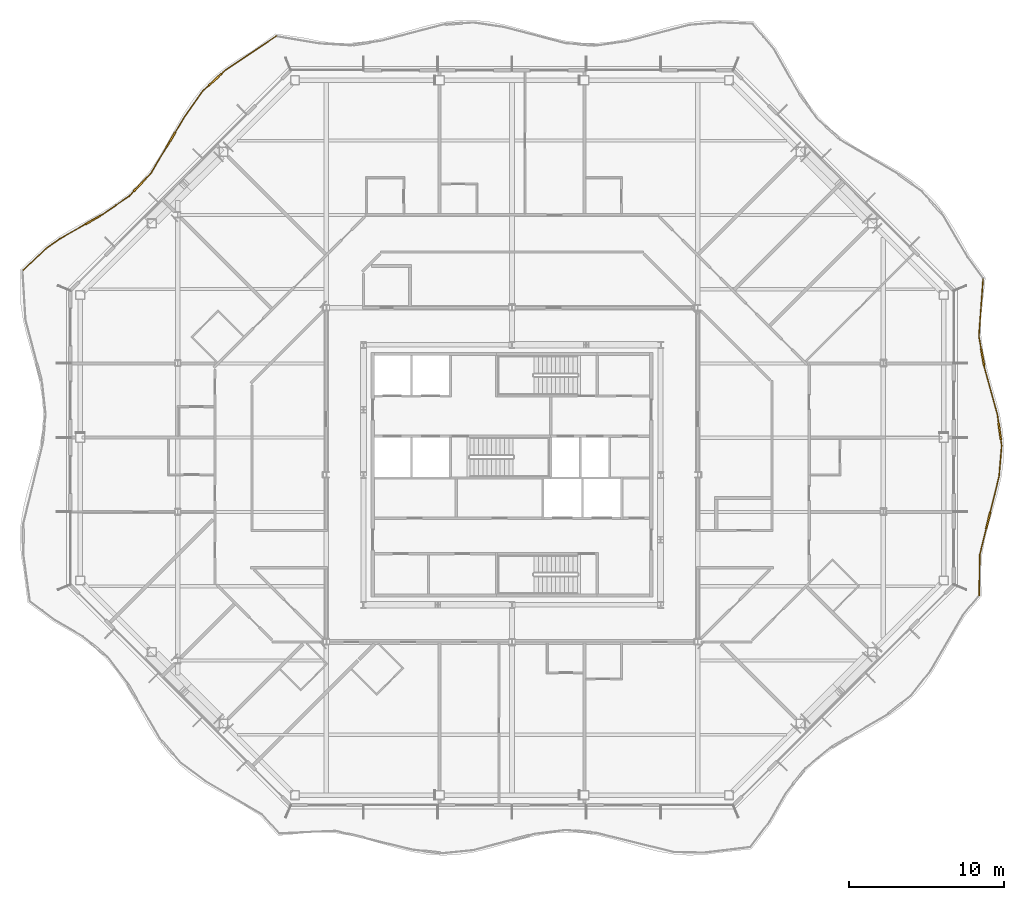
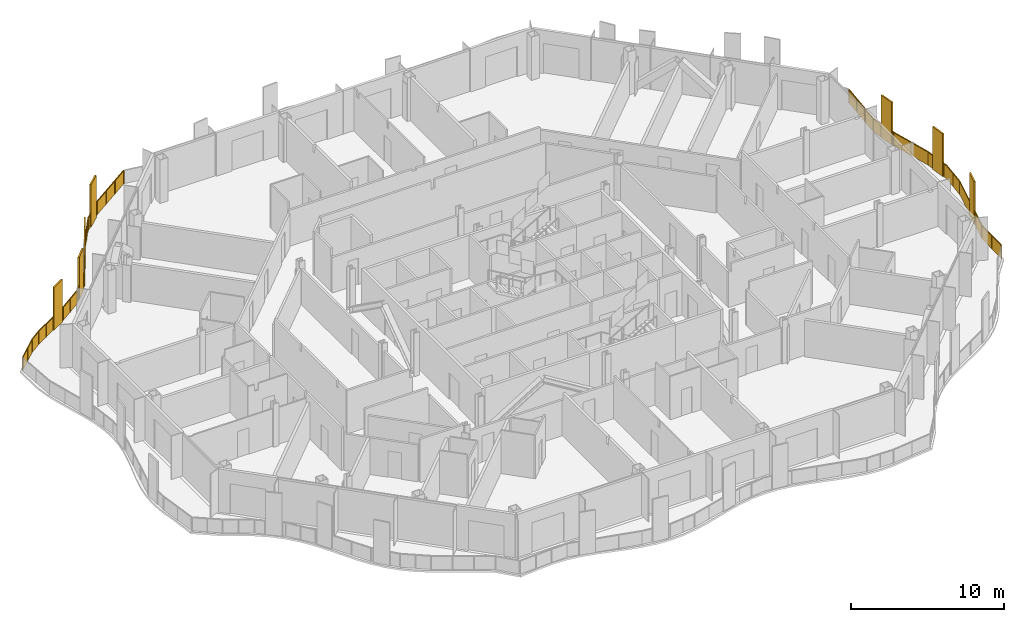
# One storey, part 19 of 21: 2 railings.
"""IFC4 building model written with IfcOpenShell, lengths in metres."""

import ifcopenshell
import ifcopenshell.guid

model = None  # the IFC model being written
_history = None  # IfcOwnerHistory: only IFC2X3 demands one
_inside = {}  # id of a spatial element -> (the spatial element, [elements in it])
_under = {}  # id of a project, library or spatial element -> (it, [spatial elements below it])
_declared = {}  # id of a project -> (the project, [libraries it declares])
_typed = {}  # id of a type object -> (the type object, [elements of that type])
_made_of = {}  # id of a material, layer set ... -> (it, [elements and type objects made of it])


def new_model(schema):
    """Start an empty IFC model of exactly this schema.

    Asked for "IFC4X3", IfcOpenShell would pick the latest addendum, in which some entities
    have other attributes; the version numbers below select the first issue.
    IFC2X3 requires an IfcOwnerHistory on every rooted entity: one is made here for all.
    """
    global model, _history
    if schema == "IFC4X3":
        model = ifcopenshell.file(schema_version=(4, 3, 0, 0))
    else:
        model = ifcopenshell.file(schema=schema)
    _inside.clear()
    _under.clear()
    _declared.clear()
    _typed.clear()
    _made_of.clear()
    _history = None
    if model.schema == "IFC2X3":
        org = make("IfcOrganization", Name="unknown")
        user = make(
            "IfcPersonAndOrganization",
            ThePerson=make("IfcPerson", FamilyName="unknown"),
            TheOrganization=org,
        )
        app = make(
            "IfcApplication",
            ApplicationDeveloper=org,
            Version="unknown",
            ApplicationFullName="unknown",
            ApplicationIdentifier="unknown",
        )
        _history = make(
            "IfcOwnerHistory",
            OwningUser=user,
            OwningApplication=app,
            ChangeAction="ADDED",
            CreationDate=0,
        )
    return model


def make(cls, **values):
    """One entity of the class cls with the attributes given. An attribute that is None is left unset."""
    return model.create_entity(
        cls, **{name: value for name, value in values.items() if value is not None}
    )


def rooted(cls, **values):
    """An entity with a GlobalId (a new one), such as an element, a storey or a relation."""
    return make(cls, GlobalId=ifcopenshell.guid.new(), OwnerHistory=_history, **values)


def si_unit(unit_type, name, prefix=None):
    """IfcSIUnit, for example si_unit("LENGTHUNIT", "METRE", prefix="MILLI")."""
    return make("IfcSIUnit", UnitType=unit_type, Prefix=prefix, Name=name)


def assignment(units):
    """IfcUnitAssignment: the units of a project."""
    return None if units is None else make("IfcUnitAssignment", Units=units)


def point(xyz):
    """IfcCartesianPoint."""
    return None if xyz is None else make("IfcCartesianPoint", Coordinates=xyz)


def direction(xyz):
    """IfcDirection."""
    return None if xyz is None else make("IfcDirection", DirectionRatios=xyz)


def frame(location, z_axis=None, x_axis=None):
    """IfcAxis2Placement3D, a coordinate frame: its origin and axes. An axis left out is left unset."""
    return make(
        "IfcAxis2Placement3D",
        Location=point(location),
        Axis=direction(z_axis),
        RefDirection=direction(x_axis),
    )


def frame_2d(location, x_axis=None):
    """IfcAxis2Placement2D, a coordinate frame in the plane: its origin and x axis."""
    return make(
        "IfcAxis2Placement2D", Location=point(location), RefDirection=direction(x_axis)
    )


def origin():
    """The frame at (0, 0, 0) with its axes left unset."""
    return frame((0.0, 0.0, 0.0))


def origin_2d():
    """The frame at (0, 0) in the plane with its x axis left unset."""
    return frame_2d((0.0, 0.0))


def place(relative_to, where):
    """IfcLocalPlacement: puts the frame where relative to a parent placement (None: the world)."""
    return make(
        "IfcLocalPlacement", PlacementRelTo=relative_to, RelativePlacement=where
    )


def context(
    kind, dimensions, precision=None, world=None, true_north=None, identifier=None
):
    """IfcGeometricRepresentationContext, for example the 3D "Model" context."""
    return make(
        "IfcGeometricRepresentationContext",
        ContextIdentifier=identifier,
        ContextType=kind,
        CoordinateSpaceDimension=dimensions,
        Precision=precision,
        WorldCoordinateSystem=world,
        TrueNorth=true_north,
    )


def subcontext(parent, identifier, kind, view, scale=None):
    """IfcGeometricRepresentationSubContext, for example "Body" below "Model"."""
    return make(
        "IfcGeometricRepresentationSubContext",
        ContextIdentifier=identifier,
        ContextType=kind,
        ParentContext=parent,
        TargetScale=scale,
        TargetView=view,
    )


def project(units=None, contexts=None):
    """IfcProject with its units and contexts."""
    return rooted(
        "IfcProject",
        Name="project",
        RepresentationContexts=contexts,
        UnitsInContext=assignment(units),
    )


def spatial(cls, under=None, at=None, **own):
    """A site, building, storey or space (cls), placed at a placement, below another one or the project."""
    s = rooted(cls, ObjectPlacement=at, **own)
    if under is not None:
        _under.setdefault(under.id(), (under, []))[1].append(s)
    return s


def polyline(points):
    """IfcPolyline through the points."""
    return make("IfcPolyline", Points=[point(p) for p in points])


def profile(cls, at=None, kind="AREA", **sizes):
    """A parametric profile (cls). Its sizes go by their IFC names, for example OverallWidth=200.0."""
    return make(cls, ProfileType=kind, Position=at, **sizes)


def rectangle(**sizes):
    """IfcRectangleProfileDef."""
    return profile("IfcRectangleProfileDef", **sizes)


def outline(outer, holes=None, kind="AREA"):
    """IfcArbitraryClosedProfileDef: a profile drawn as a closed curve; with holes, ...WithVoids."""
    if holes is None:
        return make("IfcArbitraryClosedProfileDef", ProfileType=kind, OuterCurve=outer)
    return make(
        "IfcArbitraryProfileDefWithVoids",
        ProfileType=kind,
        OuterCurve=outer,
        InnerCurves=holes,
    )


def extrude(swept, where, along, depth):
    """IfcExtrudedAreaSolid: the profile swept, set in the frame where, extruded along a direction by depth."""
    return make(
        "IfcExtrudedAreaSolid",
        SweptArea=swept,
        Position=where,
        ExtrudedDirection=direction(along),
        Depth=depth,
    )


def shape(context_of_items, identifier, shape_type, items):
    """IfcShapeRepresentation: the items that make up one representation, for example the "Body"."""
    return make(
        "IfcShapeRepresentation",
        ContextOfItems=context_of_items,
        RepresentationIdentifier=identifier,
        RepresentationType=shape_type,
        Items=items,
    )


def material(Name=None, Category=None):
    """IfcMaterial."""
    return make("IfcMaterial", Name=Name, Category=Category)


def made_of(thing, what):
    """Note that an element or type object is made of a material, layer set ...; save() writes the relation."""
    if what is not None:
        _made_of.setdefault(what.id(), (what, []))[1].append(thing)
    return thing


def type_object(cls, material=None, **own):
    """A type object (cls), such as IfcWallType, which elements share."""
    return made_of(rooted(cls, **own), material)


def element(
    cls,
    number,
    at=None,
    inside=None,
    cuts=None,
    type_object=None,
    material=None,
    context=None,
    identifier="Body",
    shape_type=None,
    held_by="IfcProductDefinitionShape",
    body=None,
    shapes=None,
    **own,
):
    """One element of the class cls, such as IfcWall. Its Tag is "e" and its number.

    at: its placement. inside: the storey or other place that contains it. cuts: it is an
    opening in that element (IfcRelVoidsElement). A single representation is given by context,
    identifier, shape_type and body (its items); several are given by shapes. held_by: the class
    of the entity that holds the representations. save() writes the other relations.
    """
    e = rooted(cls, Tag="e%d" % number, ObjectPlacement=at, **own)
    if body is not None:
        shapes = [shape(context, identifier, shape_type, body)]
    if shapes is not None:
        e.Representation = make(held_by, Representations=shapes)
    if inside is not None:
        _inside.setdefault(inside.id(), (inside, []))[1].append(e)
    if cuts is not None:
        rooted(
            "IfcRelVoidsElement", RelatingBuildingElement=cuts, RelatedOpeningElement=e
        )
    if type_object is not None:
        _typed.setdefault(type_object.id(), (type_object, []))[1].append(e)
    return made_of(e, material)


def aggregate(whole, parts):
    """IfcRelAggregates: a whole, such as a stair, and the parts it consists of."""
    return rooted("IfcRelAggregates", RelatingObject=whole, RelatedObjects=parts)


def save(model, path):
    """Write the relations noted so far, then the file.

    IfcRelAggregates (storeys below a building ...), IfcRelContainedInSpatialStructure (elements
    in a storey), IfcRelDefinesByType, IfcRelAssociatesMaterial and IfcRelDeclares: one each for
    every whole, place, type object, material and project.
    """
    for whole, parts in _under.values():
        aggregate(whole, parts)
    for where, things in _inside.values():
        rooted(
            "IfcRelContainedInSpatialStructure",
            RelatedElements=things,
            RelatingStructure=where,
        )
    for kind, things in _typed.values():
        rooted("IfcRelDefinesByType", RelatedObjects=things, RelatingType=kind)
    for what, things in _made_of.values():
        rooted("IfcRelAssociatesMaterial", RelatedObjects=things, RelatingMaterial=what)
    for by, libraries in _declared.values():
        rooted("IfcRelDeclares", RelatingContext=by, RelatedDefinitions=libraries)
    model.write(path)


model = new_model("IFC4")

# Units and contexts
model_context = context("Model", 3, precision=1e-05, world=origin(), true_north=direction((0.0, 1.0)))
body_context = subcontext(model_context, "Body", "Model", "MODEL_VIEW")
ifc_project = project(units=[si_unit("LENGTHUNIT", "METRE"), si_unit("AREAUNIT", "SQUARE_METRE"), si_unit("VOLUMEUNIT", "CUBIC_METRE"), si_unit("PLANEANGLEUNIT", "RADIAN"), si_unit("MASSUNIT", "GRAM", prefix="KILO")], contexts=[model_context])

# Site, building, storey
site_placement = place(None, origin())
site = spatial("IfcSite", under=ifc_project, at=site_placement, CompositionType="ELEMENT")
building_placement = place(site_placement, origin())
building = spatial("IfcBuilding", under=site, at=building_placement, Name="Cairn Pilgrim Tower", CompositionType="ELEMENT")
storey_placement = place(building_placement, frame((0.0, 0.0, 150.60009765625)))
storey = spatial("IfcBuildingStorey", under=building, at=storey_placement, Name="L37", CompositionType="ELEMENT", Elevation=150.60009765625)

# Railings
ifc_material = material(Name="Bronze anodised aluminium rail, posts and fin screens with laminated glass infill", Category="aluminium")
railing_type = type_object("IfcRailingType", Name="BALCONY GUARD WITH FIN SCREENS", PredefinedType="GUARDRAIL", material=ifc_material)
railing_1_placement = place(storey_placement, frame((37.390869140625, -5.382568359375, 0.0)))
element("IfcRailing", 1, at=railing_1_placement, inside=storey, type_object=railing_type, Name="Balcony guard BGF-3 with fin screens", PredefinedType="GUARDRAIL", context=body_context, shape_type="SweptSolid", body=[
    extrude(rectangle(XDim=0.050048828125, YDim=0.050048828125, at=origin_2d()), frame((0.0, 0.0, 1.0751953125), z_axis=(0.014983425772, 0.999887742175, 0.0), x_axis=(-0.999887742175, 0.014983425772, 0.0)), (0.0, 0.0, 1.0), 2.623291015625),
    extrude(rectangle(XDim=1.10009765625, YDim=0.110107421875, at=origin_2d()), frame((0.5849609375, 4.8330078125, 0.0), z_axis=(0.0, 0.0, 1.0), x_axis=(0.239755874663, 0.970833209447, 0.0)), (0.0, 0.0, 1.0), 3.39990234375),
    extrude(rectangle(XDim=0.050048828125, YDim=0.050048828125, at=origin_2d()), frame((0.039306640625, 2.623046875, 1.0751953125), z_axis=(0.239755874663, 0.970833209447, 0.0), x_axis=(-0.970833209447, 0.239755874663, 0.0)), (0.0, 0.0, 1.0), 1.726318359375),
    extrude(rectangle(XDim=0.050048828125, YDim=0.050048828125, at=origin_2d()), frame((0.716796875, 5.366943359375, 1.0751953125), z_axis=(0.239755874663, 0.970833209447, 0.0), x_axis=(-0.970833209447, 0.239755874663, 0.0)), (0.0, 0.0, 1.0), 2.38330078125),
    extrude(rectangle(XDim=0.050048828125, YDim=0.050048828125, at=origin_2d()), frame((1.288330078125, 7.6806640625, 1.0751953125), z_axis=(0.083025270846, 0.996547442123, 0.0), x_axis=(-0.996547442123, 0.083025270846, 0.0)), (0.0, 0.0, 1.0), 1.99951171875),
    extrude(rectangle(XDim=1.10009765625, YDim=0.110107421875, at=origin_2d()), frame((1.32861328125, 10.590087890625, 0.0), z_axis=(0.0, 0.0, 1.0), x_axis=(-0.135935679566, 0.990717664636, 0.0)), (0.0, 0.0, 1.0), 3.39990234375),
    extrude(rectangle(XDim=0.050048828125, YDim=0.050048828125, at=origin_2d()), frame((1.454345703125, 9.67333984375, 1.0751953125), z_axis=(-0.135935679566, 0.990717664636, 0.0), x_axis=(-0.990717664636, -0.135935679566, 0.0)), (0.0, 0.0, 1.0), 0.375244140625),
    extrude(rectangle(XDim=0.050048828125, YDim=0.050048828125, at=origin_2d()), frame((1.25390625, 11.134765625, 1.0751953125), z_axis=(-0.135935679566, 0.990717664636, 0.0), x_axis=(-0.990717664636, -0.135935679566, 0.0)), (0.0, 0.0, 1.0), 0.5380859375),
    extrude(rectangle(XDim=0.050048828125, YDim=0.050048828125, at=origin_2d()), frame((1.1806640625, 11.66796875, 1.0751953125), z_axis=(-0.266553808862, 0.96382003869, 0.0), x_axis=(-0.96382003869, -0.266553808862, 0.0)), (0.0, 0.0, 1.0), 3.142578125),
    extrude(rectangle(XDim=1.10009765625, YDim=0.110107421875, at=origin_2d()), frame((0.221923828125, 15.38623046875, 0.0), z_axis=(0.0, 0.0, 1.0), x_axis=(-0.172947454275, 0.98493105244, 0.0)), (0.0, 0.0, 1.0), 3.39990234375),
    extrude(rectangle(XDim=0.050048828125, YDim=0.050048828125, at=origin_2d()), frame((0.343017578125, 14.69677734375, 1.0751953125), z_axis=(-0.172947454275, 0.98493105244, 0.0), x_axis=(-0.98493105244, -0.172947454275, 0.0)), (0.0, 0.0, 1.0), 0.150146484375),
    extrude(rectangle(XDim=0.050048828125, YDim=0.050048828125, at=origin_2d()), frame((0.126708984375, 15.927978515625, 1.0751953125), z_axis=(-0.172947454275, 0.98493105244, 0.0), x_axis=(-0.98493105244, -0.172947454275, 0.0)), (0.0, 0.0, 1.0), 0.827880859375),
    extrude(rectangle(XDim=0.050048828125, YDim=0.050048828125, at=origin_2d()), frame((-0.016357421875, 16.743408203125, 1.0751953125), z_axis=(0.072699603189, 0.99735388288, 0.0), x_axis=(-0.99735388288, 0.072699603189, 0.0)), (0.0, 0.0, 1.0), 3.690673828125),
    extrude(rectangle(XDim=0.050048828125, YDim=0.050048828125, at=origin_2d()), origin(), (0.0, 0.0, 1.0), 1.050048828125),
    extrude(rectangle(XDim=0.050048828125, YDim=0.050048828125, at=origin_2d()), frame((0.01953125, 1.3115234375, 0.0)), (0.0, 0.0, 1.0), 1.050048828125),
    extrude(rectangle(XDim=0.050048828125, YDim=0.050048828125, at=origin_2d()), frame((0.039306640625, 2.623046875, 0.0)), (0.0, 0.0, 1.0), 1.050048828125),
    extrude(rectangle(XDim=0.050048828125, YDim=0.050048828125, at=origin_2d()), frame((0.447265625, 4.274658203125, 0.0)), (0.0, 0.0, 1.0), 1.050048828125),
    extrude(rectangle(XDim=0.050048828125, YDim=0.050048828125, at=origin_2d()), frame((0.722900390625, 5.39111328125, 0.0)), (0.0, 0.0, 1.0), 1.050048828125),
    extrude(rectangle(XDim=0.050048828125, YDim=0.050048828125, at=origin_2d()), frame((1.005615234375, 6.535888671875, 0.0)), (0.0, 0.0, 1.0), 1.050048828125),
    extrude(rectangle(XDim=0.050048828125, YDim=0.050048828125, at=origin_2d()), frame((1.288330078125, 7.6806640625, 0.0)), (0.0, 0.0, 1.0), 1.050048828125),
    extrude(rectangle(XDim=0.050048828125, YDim=0.050048828125, at=origin_2d()), frame((1.371337890625, 8.677001953125, 0.0)), (0.0, 0.0, 1.0), 1.050048828125),
    extrude(rectangle(XDim=0.050048828125, YDim=0.050048828125, at=origin_2d()), frame((1.454345703125, 9.67333984375, 0.0)), (0.0, 0.0, 1.0), 1.050048828125),
    extrude(rectangle(XDim=0.050048828125, YDim=0.050048828125, at=origin_2d()), frame((1.40673828125, 10.020263671875, 0.0)), (0.0, 0.0, 1.0), 1.050048828125),
    extrude(rectangle(XDim=0.050048828125, YDim=0.050048828125, at=origin_2d()), frame((1.25048828125, 11.15966796875, 0.0)), (0.0, 0.0, 1.0), 1.050048828125),
    extrude(rectangle(XDim=0.050048828125, YDim=0.050048828125, at=origin_2d()), frame((1.1806640625, 11.66796875, 0.0)), (0.0, 0.0, 1.0), 1.050048828125),
    extrude(rectangle(XDim=0.050048828125, YDim=0.050048828125, at=origin_2d()), frame((0.76171875, 13.182373046875, 0.0)), (0.0, 0.0, 1.0), 1.050048828125),
    extrude(rectangle(XDim=0.050048828125, YDim=0.050048828125, at=origin_2d()), frame((0.343017578125, 14.69677734375, 0.0)), (0.0, 0.0, 1.0), 1.050048828125),
    extrude(rectangle(XDim=0.050048828125, YDim=0.050048828125, at=origin_2d()), frame((0.3212890625, 14.820068359375, 0.0)), (0.0, 0.0, 1.0), 1.050048828125),
    extrude(rectangle(XDim=0.050048828125, YDim=0.050048828125, at=origin_2d()), frame((0.12255859375, 15.95263671875, 0.0)), (0.0, 0.0, 1.0), 1.050048828125),
    extrude(rectangle(XDim=0.050048828125, YDim=0.050048828125, at=origin_2d()), frame((-0.016357421875, 16.743408203125, 0.0)), (0.0, 0.0, 1.0), 1.050048828125),
    extrude(rectangle(XDim=0.050048828125, YDim=0.050048828125, at=origin_2d()), frame((0.072998046875, 17.970458984375, 0.0)), (0.0, 0.0, 1.0), 1.050048828125),
    extrude(rectangle(XDim=0.050048828125, YDim=0.050048828125, at=origin_2d()), frame((0.16259765625, 19.197265625, 0.0)), (0.0, 0.0, 1.0), 1.050048828125),
    extrude(rectangle(XDim=0.050048828125, YDim=0.050048828125, at=origin_2d()), frame((0.251953125, 20.42431640625, 0.0)), (0.0, 0.0, 1.0), 1.050048828125),
    extrude(outline(polyline([(0.02490234375, 0.0), (1.28662109375, 0.0), (1.28662109375, 1.050048828125), (0.02490234375, 1.050048828125), (0.02490234375, 0.0)])), frame((-0.005859375, 0.0, 0.0), z_axis=(0.999887742175, -0.014983425772, 0.0), x_axis=(0.014983425772, 0.999887742175, 0.0)), (0.0, 0.0, 1.0), 0.011962890625),
    extrude(outline(polyline([(0.02490234375, 0.0), (1.28662109375, 0.0), (1.28662109375, 1.050048828125), (0.02490234375, 1.050048828125), (0.02490234375, 0.0)])), frame((0.013671875, 1.3115234375, 0.0), z_axis=(0.999887742175, -0.014983425772, 0.0), x_axis=(0.014983425772, 0.999887742175, 0.0)), (0.0, 0.0, 1.0), 0.011962890625),
    extrude(outline(polyline([(0.02490234375, 0.0), (1.67626953125, 0.0), (1.67626953125, 1.050048828125), (0.02490234375, 1.050048828125), (0.02490234375, 0.0)])), frame((0.033447265625, 2.62451171875, 0.0), z_axis=(0.970833209447, -0.239755874663, 0.0), x_axis=(0.239755874663, 0.970833209447, 0.0)), (0.0, 0.0, 1.0), 0.011962890625),
    extrude(outline(polyline([(0.02490234375, 0.0), (1.154052734375, 0.0), (1.154052734375, 1.050048828125), (0.02490234375, 1.050048828125), (0.02490234375, 0.0)])), frame((0.717041015625, 5.392578125, 0.0), z_axis=(0.970833209447, -0.239755874663, 0.0), x_axis=(0.239755874663, 0.970833209447, 0.0)), (0.0, 0.0, 1.0), 0.011962890625),
    extrude(outline(polyline([(0.02490234375, 0.0), (1.154052734375, 0.0), (1.154052734375, 1.050048828125), (0.02490234375, 1.050048828125), (0.02490234375, 0.0)])), frame((0.999755859375, 6.537353515625, 0.0), z_axis=(0.970833209447, -0.239755874663, 0.0), x_axis=(0.239755874663, 0.970833209447, 0.0)), (0.0, 0.0, 1.0), 0.011962890625),
    extrude(outline(polyline([(0.02490234375, 0.0), (0.974853515625, 0.0), (0.974853515625, 1.050048828125), (0.02490234375, 1.050048828125), (0.02490234375, 0.0)])), frame((1.282470703125, 7.68115234375, 0.0), z_axis=(0.996547442123, -0.083025270846, 0.0), x_axis=(0.083025270846, 0.996547442123, 0.0)), (0.0, 0.0, 1.0), 0.011962890625),
    extrude(outline(polyline([(0.02490234375, 0.0), (0.974853515625, 0.0), (0.974853515625, 1.050048828125), (0.02490234375, 1.050048828125), (0.02490234375, 0.0)])), frame((1.365478515625, 8.677490234375, 0.0), z_axis=(0.996547442123, -0.083025270846, 0.0), x_axis=(0.083025270846, 0.996547442123, 0.0)), (0.0, 0.0, 1.0), 0.011962890625),
    extrude(outline(polyline([(0.02490234375, 0.0), (0.3251953125, 0.0), (0.3251953125, 1.050048828125), (0.02490234375, 1.050048828125), (0.02490234375, 0.0)])), frame((1.448486328125, 9.672607421875, 0.0), z_axis=(0.990717664636, 0.135935679566, 0.0), x_axis=(-0.135935679566, 0.990717664636, 0.0)), (0.0, 0.0, 1.0), 0.011962890625),
    extrude(outline(polyline([(0.02490234375, 0.0), (0.488037109375, 0.0), (0.488037109375, 1.050048828125), (0.02490234375, 1.050048828125), (0.02490234375, 0.0)])), frame((1.244384765625, 11.158935546875, 0.0), z_axis=(0.990717664636, 0.135935679566, 0.0), x_axis=(-0.135935679566, 0.990717664636, 0.0)), (0.0, 0.0, 1.0), 0.011962890625),
    extrude(outline(polyline([(0.02490234375, 0.0), (1.546142578125, 0.0), (1.546142578125, 1.050048828125), (0.02490234375, 1.050048828125), (0.02490234375, 0.0)])), frame((1.1748046875, 11.666259765625, 0.0), z_axis=(0.96382003869, 0.266553808862, 0.0), x_axis=(-0.266553808862, 0.96382003869, 0.0)), (0.0, 0.0, 1.0), 0.011962890625),
    extrude(outline(polyline([(0.02490234375, 0.0), (1.546142578125, 0.0), (1.546142578125, 1.050048828125), (0.02490234375, 1.050048828125), (0.02490234375, 0.0)])), frame((0.756103515625, 13.1806640625, 0.0), z_axis=(0.96382003869, 0.266553808862, 0.0), x_axis=(-0.266553808862, 0.96382003869, 0.0)), (0.0, 0.0, 1.0), 0.011962890625),
    extrude(outline(polyline([(0.02490234375, 0.0), (0.10009765625, 0.0), (0.10009765625, 1.050048828125), (0.02490234375, 1.050048828125), (0.02490234375, 0.0)])), frame((0.337158203125, 14.69580078125, 0.0), z_axis=(0.98493105244, 0.172947454275, 0.0), x_axis=(-0.172947454275, 0.98493105244, 0.0)), (0.0, 0.0, 1.0), 0.011962890625),
    extrude(outline(polyline([(0.02490234375, 0.0), (0.77783203125, 0.0), (0.77783203125, 1.050048828125), (0.02490234375, 1.050048828125), (0.02490234375, 0.0)])), frame((0.11669921875, 15.95166015625, 0.0), z_axis=(0.98493105244, 0.172947454275, 0.0), x_axis=(-0.172947454275, 0.98493105244, 0.0)), (0.0, 0.0, 1.0), 0.011962890625),
    extrude(outline(polyline([(0.02490234375, 0.0), (1.205322265625, 0.0), (1.205322265625, 1.050048828125), (0.02490234375, 1.050048828125), (0.02490234375, 0.0)])), frame((-0.022216796875, 16.743896484375, 0.0), z_axis=(0.99735388288, -0.072699603189, 0.0), x_axis=(0.072699603189, 0.99735388288, 0.0)), (0.0, 0.0, 1.0), 0.011962890625),
    extrude(outline(polyline([(0.02490234375, 0.0), (1.205322265625, 0.0), (1.205322265625, 1.050048828125), (0.02490234375, 1.050048828125), (0.02490234375, 0.0)])), frame((0.067138671875, 17.970703125, 0.0), z_axis=(0.99735388288, -0.072699603189, 0.0), x_axis=(0.072699603189, 0.99735388288, 0.0)), (0.0, 0.0, 1.0), 0.011962890625),
    extrude(outline(polyline([(0.02490234375, 0.0), (1.205322265625, 0.0), (1.205322265625, 1.050048828125), (0.02490234375, 1.050048828125), (0.02490234375, 0.0)])), frame((0.156494140625, 19.19775390625, 0.0), z_axis=(0.99735388288, -0.072699603189, 0.0), x_axis=(0.072699603189, 0.99735388288, 0.0)), (0.0, 0.0, 1.0), 0.011962890625),
])
railing_2_placement = place(storey_placement, frame((-8.040771484375, 30.75439453125, 0.0)))
element("IfcRailing", 2, at=railing_2_placement, inside=storey, type_object=railing_type, Name="Balcony guard BGF-6 with fin screens", PredefinedType="GUARDRAIL", context=body_context, shape_type="SweptSolid", body=[
    extrude(rectangle(XDim=0.050048828125, YDim=0.050048828125, at=origin_2d()), frame((0.0, 0.0, 1.0751953125), z_axis=(-0.83056762951, -0.556917779219, 0.0), x_axis=(0.556917779219, -0.83056762951, 0.0)), (0.0, 0.0, 1.0), 3.934326171875),
    extrude(rectangle(XDim=1.10009765625, YDim=0.110107421875, at=origin_2d()), frame((-3.95263671875, -2.817626953125, 0.0), z_axis=(0.0, 0.0, 1.0), x_axis=(-0.7378491468, -0.674965655842, 0.0)), (0.0, 0.0, 1.0), 3.39990234375),
    extrude(rectangle(XDim=0.050048828125, YDim=0.050048828125, at=origin_2d()), frame((-3.267822265625, -2.191162109375, 1.0751953125), z_axis=(-0.7378491468, -0.674965655842, 0.0), x_axis=(0.674965655842, -0.7378491468, 0.0)), (0.0, 0.0, 1.0), 0.378173828125),
    extrude(rectangle(XDim=0.050048828125, YDim=0.050048828125, at=origin_2d()), frame((-4.3583984375, -3.18896484375, 1.0751953125), z_axis=(-0.7378491468, -0.674965655842, 0.0), x_axis=(0.674965655842, -0.7378491468, 0.0)), (0.0, 0.0, 1.0), 0.532958984375),
    extrude(rectangle(XDim=0.050048828125, YDim=0.050048828125, at=origin_2d()), frame((-4.751708984375, -3.548583984375, 1.0751953125), z_axis=(-0.57695980873, -0.816772538171, 0.0), x_axis=(0.816772538171, -0.57695980873, 0.0)), (0.0, 0.0, 1.0), 2.044189453125),
    extrude(rectangle(XDim=1.10009765625, YDim=0.110107421875, at=origin_2d()), frame((-6.804931640625, -6.6884765625, 0.0), z_axis=(0.0, 0.0, 1.0), x_axis=(-0.51095505833, -0.859607426891, 0.0)), (0.0, 0.0, 1.0), 3.39990234375),
    extrude(rectangle(XDim=0.050048828125, YDim=0.050048828125, at=origin_2d()), frame((-5.93115234375, -5.21826171875, 1.0751953125), z_axis=(-0.51095505833, -0.859607426891, 0.0), x_axis=(0.859607426891, -0.51095505833, 0.0)), (0.0, 0.0, 1.0), 1.160400390625),
    extrude(rectangle(XDim=0.050048828125, YDim=0.050048828125, at=origin_2d()), frame((-7.086181640625, -7.1611328125, 1.0751953125), z_axis=(-0.51095505833, -0.859607426891, 0.0), x_axis=(0.859607426891, -0.51095505833, 0.0)), (0.0, 0.0, 1.0), 1.953125),
    extrude(rectangle(XDim=1.10009765625, YDim=0.110107421875, at=origin_2d()), frame((-8.81591796875, -9.61474609375, 0.0), z_axis=(0.0, 0.0, 1.0), x_axis=(-0.686831314979, -0.726816857788, 0.0)), (0.0, 0.0, 1.0), 3.39990234375),
    extrude(rectangle(XDim=0.050048828125, YDim=0.050048828125, at=origin_2d()), frame((-8.083984375, -8.840087890625, 1.0751953125), z_axis=(-0.686831314979, -0.726816857788, 0.0), x_axis=(0.726816857788, -0.686831314979, 0.0)), (0.0, 0.0, 1.0), 0.515869140625),
    extrude(rectangle(XDim=0.050048828125, YDim=0.050048828125, at=origin_2d()), frame((-9.19384765625, -10.014404296875, 1.0751953125), z_axis=(-0.686831314979, -0.726816857788, 0.0), x_axis=(0.726816857788, -0.686831314979, 0.0)), (0.0, 0.0, 1.0), 0.4541015625),
    extrude(rectangle(XDim=0.050048828125, YDim=0.050048828125, at=origin_2d()), frame((-9.505615234375, -10.344482421875, 1.0751953125), z_axis=(-0.823905775321, -0.566726806665, 0.0), x_axis=(0.566726806665, -0.823905775321, 0.0)), (0.0, 0.0, 1.0), 2.09326171875),
    extrude(rectangle(XDim=1.10009765625, YDim=0.110107421875, at=origin_2d()), frame((-11.838623046875, -11.876953125, 0.0), z_axis=(0.0, 0.0, 1.0), x_axis=(-0.86920438443, -0.49445296853, 0.0)), (0.0, 0.0, 1.0), 3.39990234375),
    extrude(rectangle(XDim=0.050048828125, YDim=0.050048828125, at=origin_2d()), frame((-11.230224609375, -11.53076171875, 1.0751953125), z_axis=(-0.86920438443, -0.49445296853, 0.0), x_axis=(0.49445296853, -0.86920438443, 0.0)), (0.0, 0.0, 1.0), 0.14990234375),
    extrude(rectangle(XDim=0.050048828125, YDim=0.050048828125, at=origin_2d()), frame((-12.316650390625, -12.14892578125, 1.0751953125), z_axis=(-0.86920438443, -0.49445296853, 0.0), x_axis=(0.49445296853, -0.86920438443, 0.0)), (0.0, 0.0, 1.0), 1.91748046875),
    extrude(rectangle(XDim=0.050048828125, YDim=0.050048828125, at=origin_2d()), frame((-13.9833984375, -13.096923828125, 1.0751953125), z_axis=(-0.818384164271, -0.574671523281, 0.0), x_axis=(0.574671523281, -0.818384164271, 0.0)), (0.0, 0.0, 1.0), 1.015869140625),
    extrude(rectangle(XDim=0.050048828125, YDim=0.050048828125, at=origin_2d()), frame((-14.814697265625, -13.6806640625, 1.0751953125), z_axis=(-0.729088273987, -0.68441967296, 0.0), x_axis=(0.68441967296, -0.729088273987, 0.0)), (0.0, 0.0, 1.0), 2.12060546875),
    extrude(rectangle(XDim=0.050048828125, YDim=0.050048828125, at=origin_2d()), origin(), (0.0, 0.0, 1.0), 1.050048828125),
    extrude(rectangle(XDim=0.050048828125, YDim=0.050048828125, at=origin_2d()), frame((-1.08935546875, -0.73046875, 0.0)), (0.0, 0.0, 1.0), 1.050048828125),
    extrude(rectangle(XDim=0.050048828125, YDim=0.050048828125, at=origin_2d()), frame((-2.178466796875, -1.460693359375, 0.0)), (0.0, 0.0, 1.0), 1.050048828125),
    extrude(rectangle(XDim=0.050048828125, YDim=0.050048828125, at=origin_2d()), frame((-3.267822265625, -2.191162109375, 0.0)), (0.0, 0.0, 1.0), 1.050048828125),
    extrude(rectangle(XDim=0.050048828125, YDim=0.050048828125, at=origin_2d()), frame((-3.5283203125, -2.429443359375, 0.0)), (0.0, 0.0, 1.0), 1.050048828125),
    extrude(rectangle(XDim=0.050048828125, YDim=0.050048828125, at=origin_2d()), frame((-4.376953125, -3.205810546875, 0.0)), (0.0, 0.0, 1.0), 1.050048828125),
    extrude(rectangle(XDim=0.050048828125, YDim=0.050048828125, at=origin_2d()), frame((-4.751708984375, -3.548583984375, 0.0)), (0.0, 0.0, 1.0), 1.050048828125),
    extrude(rectangle(XDim=0.050048828125, YDim=0.050048828125, at=origin_2d()), frame((-5.34130859375, -4.38330078125, 0.0)), (0.0, 0.0, 1.0), 1.050048828125),
    extrude(rectangle(XDim=0.050048828125, YDim=0.050048828125, at=origin_2d()), frame((-5.93115234375, -5.21826171875, 0.0)), (0.0, 0.0, 1.0), 1.050048828125),
    extrude(rectangle(XDim=0.050048828125, YDim=0.050048828125, at=origin_2d()), frame((-6.51123046875, -6.194091796875, 0.0)), (0.0, 0.0, 1.0), 1.050048828125),
    extrude(rectangle(XDim=0.050048828125, YDim=0.050048828125, at=origin_2d()), frame((-7.098876953125, -7.182861328125, 0.0)), (0.0, 0.0, 1.0), 1.050048828125),
    extrude(rectangle(XDim=0.050048828125, YDim=0.050048828125, at=origin_2d()), frame((-7.59130859375, -8.011474609375, 0.0)), (0.0, 0.0, 1.0), 1.050048828125),
    extrude(rectangle(XDim=0.050048828125, YDim=0.050048828125, at=origin_2d()), frame((-8.083984375, -8.840087890625, 0.0)), (0.0, 0.0, 1.0), 1.050048828125),
    extrude(rectangle(XDim=0.050048828125, YDim=0.050048828125, at=origin_2d()), frame((-8.421142578125, -9.19677734375, 0.0)), (0.0, 0.0, 1.0), 1.050048828125),
    extrude(rectangle(XDim=0.050048828125, YDim=0.050048828125, at=origin_2d()), frame((-9.2109375, -10.03271484375, 0.0)), (0.0, 0.0, 1.0), 1.050048828125),
    extrude(rectangle(XDim=0.050048828125, YDim=0.050048828125, at=origin_2d()), frame((-9.505615234375, -10.344482421875, 0.0)), (0.0, 0.0, 1.0), 1.050048828125),
    extrude(rectangle(XDim=0.050048828125, YDim=0.050048828125, at=origin_2d()), frame((-10.367919921875, -10.9375, 0.0)), (0.0, 0.0, 1.0), 1.050048828125),
    extrude(rectangle(XDim=0.050048828125, YDim=0.050048828125, at=origin_2d()), frame((-11.230224609375, -11.53076171875, 0.0)), (0.0, 0.0, 1.0), 1.050048828125),
    extrude(rectangle(XDim=0.050048828125, YDim=0.050048828125, at=origin_2d()), frame((-11.3388671875, -11.592529296875, 0.0)), (0.0, 0.0, 1.0), 1.050048828125),
    extrude(rectangle(XDim=0.050048828125, YDim=0.050048828125, at=origin_2d()), frame((-12.33837890625, -12.1611328125, 0.0)), (0.0, 0.0, 1.0), 1.050048828125),
    extrude(rectangle(XDim=0.050048828125, YDim=0.050048828125, at=origin_2d()), frame((-13.160888671875, -12.629150390625, 0.0)), (0.0, 0.0, 1.0), 1.050048828125),
    extrude(rectangle(XDim=0.050048828125, YDim=0.050048828125, at=origin_2d()), frame((-13.9833984375, -13.096923828125, 0.0)), (0.0, 0.0, 1.0), 1.050048828125),
    extrude(rectangle(XDim=0.050048828125, YDim=0.050048828125, at=origin_2d()), frame((-14.814697265625, -13.6806640625, 0.0)), (0.0, 0.0, 1.0), 1.050048828125),
    extrude(rectangle(XDim=0.050048828125, YDim=0.050048828125, at=origin_2d()), frame((-15.587890625, -14.40625, 0.0)), (0.0, 0.0, 1.0), 1.050048828125),
    extrude(rectangle(XDim=0.050048828125, YDim=0.050048828125, at=origin_2d()), frame((-16.36083984375, -15.132080078125, 0.0)), (0.0, 0.0, 1.0), 1.050048828125),
    extrude(outline(polyline([(0.02490234375, 0.0), (1.286376953125, 0.0), (1.286376953125, 1.050048828125), (0.02490234375, 1.050048828125), (0.02490234375, 0.0)])), frame((0.00341796875, -0.0048828125, 0.0), z_axis=(-0.556917779219, 0.83056762951, 0.0), x_axis=(-0.83056762951, -0.556917779219, 0.0)), (0.0, 0.0, 1.0), 0.011962890625),
    extrude(outline(polyline([(0.02490234375, 0.0), (1.286376953125, 0.0), (1.286376953125, 1.050048828125), (0.02490234375, 1.050048828125), (0.02490234375, 0.0)])), frame((-1.0859375, -0.7353515625, 0.0), z_axis=(-0.556917779219, 0.83056762951, 0.0), x_axis=(-0.83056762951, -0.556917779219, 0.0)), (0.0, 0.0, 1.0), 0.011962890625),
    extrude(outline(polyline([(0.02490234375, 0.0), (1.286376953125, 0.0), (1.286376953125, 1.050048828125), (0.02490234375, 1.050048828125), (0.02490234375, 0.0)])), frame((-2.17529296875, -1.4658203125, 0.0), z_axis=(-0.556917779219, 0.83056762951, 0.0), x_axis=(-0.83056762951, -0.556917779219, 0.0)), (0.0, 0.0, 1.0), 0.011962890625),
    extrude(outline(polyline([(0.02490234375, 0.0), (0.328125, 0.0), (0.328125, 1.050048828125), (0.02490234375, 1.050048828125), (0.02490234375, 0.0)])), frame((-3.263671875, -2.195556640625, 0.0), z_axis=(-0.674965655842, 0.7378491468, 0.0), x_axis=(-0.7378491468, -0.674965655842, 0.0)), (0.0, 0.0, 1.0), 0.011962890625),
    extrude(outline(polyline([(0.02490234375, 0.0), (0.48291015625, 0.0), (0.48291015625, 1.050048828125), (0.02490234375, 1.050048828125), (0.02490234375, 0.0)])), frame((-4.372802734375, -3.210205078125, 0.0), z_axis=(-0.674965655842, 0.7378491468, 0.0), x_axis=(-0.7378491468, -0.674965655842, 0.0)), (0.0, 0.0, 1.0), 0.011962890625),
    extrude(outline(polyline([(0.02490234375, 0.0), (0.9970703125, 0.0), (0.9970703125, 1.050048828125), (0.02490234375, 1.050048828125), (0.02490234375, 0.0)])), frame((-4.746826171875, -3.552001953125, 0.0), z_axis=(-0.816772538171, 0.57695980873, 0.0), x_axis=(-0.57695980873, -0.816772538171, 0.0)), (0.0, 0.0, 1.0), 0.011962890625),
    extrude(outline(polyline([(0.02490234375, 0.0), (0.9970703125, 0.0), (0.9970703125, 1.050048828125), (0.02490234375, 1.050048828125), (0.02490234375, 0.0)])), frame((-5.33642578125, -4.386962890625, 0.0), z_axis=(-0.816772538171, 0.57695980873, 0.0), x_axis=(-0.57695980873, -0.816772538171, 0.0)), (0.0, 0.0, 1.0), 0.011962890625),
    extrude(outline(polyline([(0.02490234375, 0.0), (1.1103515625, 0.0), (1.1103515625, 1.050048828125), (0.02490234375, 1.050048828125), (0.02490234375, 0.0)])), frame((-5.926025390625, -5.221435546875, 0.0), z_axis=(-0.859607426891, 0.51095505833, 0.0), x_axis=(-0.51095505833, -0.859607426891, 0.0)), (0.0, 0.0, 1.0), 0.011962890625),
    extrude(outline(polyline([(0.02490234375, 0.0), (0.93896484375, 0.0), (0.93896484375, 1.050048828125), (0.02490234375, 1.050048828125), (0.02490234375, 0.0)])), frame((-7.09375, -7.185791015625, 0.0), z_axis=(-0.859607426891, 0.51095505833, 0.0), x_axis=(-0.51095505833, -0.859607426891, 0.0)), (0.0, 0.0, 1.0), 0.011962890625),
    extrude(outline(polyline([(0.02490234375, 0.0), (0.93896484375, 0.0), (0.93896484375, 1.050048828125), (0.02490234375, 1.050048828125), (0.02490234375, 0.0)])), frame((-7.586181640625, -8.014404296875, 0.0), z_axis=(-0.859607426891, 0.51095505833, 0.0), x_axis=(-0.51095505833, -0.859607426891, 0.0)), (0.0, 0.0, 1.0), 0.011962890625),
    extrude(outline(polyline([(0.02490234375, 0.0), (0.4658203125, 0.0), (0.4658203125, 1.050048828125), (0.02490234375, 1.050048828125), (0.02490234375, 0.0)])), frame((-8.07958984375, -8.84423828125, 0.0), z_axis=(-0.726816857788, 0.686831314979, 0.0), x_axis=(-0.686831314979, -0.726816857788, 0.0)), (0.0, 0.0, 1.0), 0.011962890625),
    extrude(outline(polyline([(0.02490234375, 0.0), (0.404052734375, 0.0), (0.404052734375, 1.050048828125), (0.02490234375, 1.050048828125), (0.02490234375, 0.0)])), frame((-9.20654296875, -10.036865234375, 0.0), z_axis=(-0.726816857788, 0.686831314979, 0.0), x_axis=(-0.686831314979, -0.726816857788, 0.0)), (0.0, 0.0, 1.0), 0.011962890625),
    extrude(outline(polyline([(0.02490234375, 0.0), (1.021484375, 0.0), (1.021484375, 1.050048828125), (0.02490234375, 1.050048828125), (0.02490234375, 0.0)])), frame((-9.502197265625, -10.349365234375, 0.0), z_axis=(-0.566726806665, 0.823905775321, 0.0), x_axis=(-0.823905775321, -0.566726806665, 0.0)), (0.0, 0.0, 1.0), 0.011962890625),
    extrude(outline(polyline([(0.02490234375, 0.0), (1.021484375, 0.0), (1.021484375, 1.050048828125), (0.02490234375, 1.050048828125), (0.02490234375, 0.0)])), frame((-10.364501953125, -10.942626953125, 0.0), z_axis=(-0.566726806665, 0.823905775321, 0.0), x_axis=(-0.823905775321, -0.566726806665, 0.0)), (0.0, 0.0, 1.0), 0.011962890625),
    extrude(outline(polyline([(0.02490234375, 0.0), (0.099853515625, 0.0), (0.099853515625, 1.050048828125), (0.02490234375, 1.050048828125), (0.02490234375, 0.0)])), frame((-11.227294921875, -11.535888671875, 0.0), z_axis=(-0.49445296853, 0.86920438443, 0.0), x_axis=(-0.86920438443, -0.49445296853, 0.0)), (0.0, 0.0, 1.0), 0.011962890625),
    extrude(outline(polyline([(0.02490234375, 0.0), (0.921142578125, 0.0), (0.921142578125, 1.050048828125), (0.02490234375, 1.050048828125), (0.02490234375, 0.0)])), frame((-12.33544921875, -12.16650390625, 0.0), z_axis=(-0.49445296853, 0.86920438443, 0.0), x_axis=(-0.86920438443, -0.49445296853, 0.0)), (0.0, 0.0, 1.0), 0.011962890625),
    extrude(outline(polyline([(0.02490234375, 0.0), (0.921142578125, 0.0), (0.921142578125, 1.050048828125), (0.02490234375, 1.050048828125), (0.02490234375, 0.0)])), frame((-13.157958984375, -12.63427734375, 0.0), z_axis=(-0.49445296853, 0.86920438443, 0.0), x_axis=(-0.86920438443, -0.49445296853, 0.0)), (0.0, 0.0, 1.0), 0.011962890625),
    extrude(outline(polyline([(0.02490234375, 0.0), (0.99072265625, 0.0), (0.99072265625, 1.050048828125), (0.02490234375, 1.050048828125), (0.02490234375, 0.0)])), frame((-13.97998046875, -13.101806640625, 0.0), z_axis=(-0.574671523281, 0.818384164271, 0.0), x_axis=(-0.818384164271, -0.574671523281, 0.0)), (0.0, 0.0, 1.0), 0.011962890625),
    extrude(outline(polyline([(0.02490234375, 0.0), (1.035400390625, 0.0), (1.035400390625, 1.050048828125), (0.02490234375, 1.050048828125), (0.02490234375, 0.0)])), frame((-14.810546875, -13.68505859375, 0.0), z_axis=(-0.68441967296, 0.729088273987, 0.0), x_axis=(-0.729088273987, -0.68441967296, 0.0)), (0.0, 0.0, 1.0), 0.011962890625),
    extrude(outline(polyline([(0.02490234375, 0.0), (1.035400390625, 0.0), (1.035400390625, 1.050048828125), (0.02490234375, 1.050048828125), (0.02490234375, 0.0)])), frame((-15.583740234375, -14.41064453125, 0.0), z_axis=(-0.68441967296, 0.729088273987, 0.0), x_axis=(-0.729088273987, -0.68441967296, 0.0)), (0.0, 0.0, 1.0), 0.011962890625),
])

save(model, "model.ifc")
